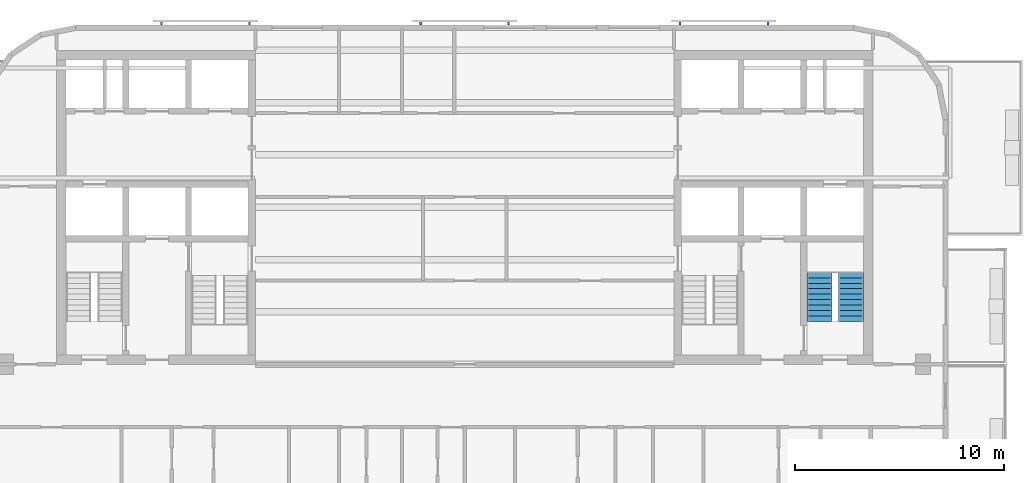
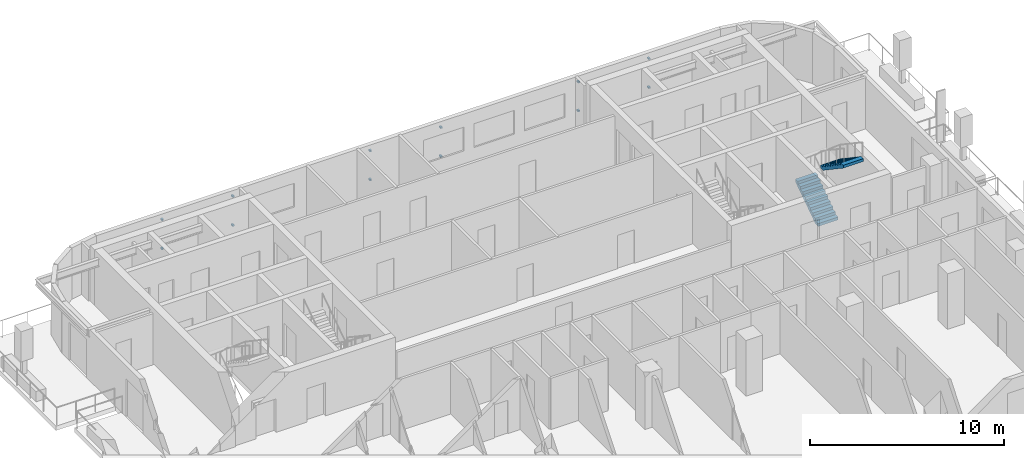
# One storey, part 8 of 11: 12 discrete accessories, 2 stair flights, 1 element without a shape of its own.
"""IFC4 building model written with IfcOpenShell, lengths in metres."""

from ifc_helpers import new_model, si_unit, direction, frame, origin, origin_2d, place, context, subcontext, project, spatial, polyline, rectangle, outline, extrude, material, type_object, element, aggregate, save


model = new_model("IFC4")

# Units and contexts
model_context = context("Model", 3, precision=1e-05, world=origin(), true_north=direction((0.0, 1.0)))
body_context = subcontext(model_context, "Body", "Model", "MODEL_VIEW")
ifc_project = project(units=[si_unit("LENGTHUNIT", "METRE"), si_unit("AREAUNIT", "SQUARE_METRE"), si_unit("VOLUMEUNIT", "CUBIC_METRE"), si_unit("PLANEANGLEUNIT", "RADIAN"), si_unit("MASSUNIT", "GRAM", prefix="KILO")], contexts=[model_context])

# Site, building, storey
site_placement = place(None, origin())
site = spatial("IfcSite", under=ifc_project, at=site_placement, CompositionType="ELEMENT")
building_placement = place(site_placement, origin())
building = spatial("IfcBuilding", under=site, at=building_placement, Name="Torana Hotel and Residences", CompositionType="ELEMENT")
storey_placement = place(building_placement, frame((0.0, 0.0, 294.60009765625)))
storey = spatial("IfcBuildingStorey", under=building, at=storey_placement, Name="L78", CompositionType="ELEMENT", Elevation=294.60009765625)

# Stair, stair flights
ifc_material_1 = material(Name="Concrete C40/50 precast", Category="concrete")
stair_type = type_object("IfcStairType", Name="STAIR ST4 HALF TURN 1200", PredefinedType="HALF_TURN_STAIR", material=ifc_material_1)
stair_placement = place(storey_placement, origin())
stair = element("IfcStair", 1, at=stair_placement, inside=storey, type_object=stair_type, Name="Stair ST4 L78", PredefinedType="HALF_TURN_STAIR")
ifc_material_2 = material(Name="Concrete C40/50 precast", Category="concrete")
stair_flight_type = type_object("IfcStairFlightType", Name="STAIR FLIGHT 1200 PRECAST", PredefinedType="STRAIGHT", material=ifc_material_2)
stair_flight_1_placement = place(storey_placement, frame((16.949951171875, -12.949951171875, 0.0), z_axis=(0.0, 0.0, 1.0), x_axis=(0.0, 1.0, 0.0)))
stair_flight_1 = element("IfcStairFlight", 2, at=stair_flight_1_placement, type_object=stair_flight_type, Name="ST4 flight 1", NumberOfRisers=10, NumberOfTreads=9, PredefinedType="STRAIGHT", RiserHeight=0.175, TreadLength=0.26, context=body_context, shape_type="SweptSolid", body=[
    extrude(outline(polyline([(0.0, 0.0), (0.0, 0.175048828125), (0.260009765625, 0.175048828125), (0.260009765625, 0.35009765625), (0.52001953125, 0.35009765625), (0.52001953125, 0.52490234375), (0.780029296875, 0.52490234375), (0.780029296875, 0.699951171875), (1.0400390625, 0.699951171875), (1.0400390625, 0.875), (1.300048828125, 0.875), (1.300048828125, 1.050048828125), (1.56005859375, 1.050048828125), (1.56005859375, 1.22509765625), (1.820068359375, 1.22509765625), (1.820068359375, 1.39990234375), (2.080078125, 1.39990234375), (2.080078125, 1.574951171875), (2.340087890625, 1.574951171875), (2.340087890625, 1.75), (2.340087890625, 1.394287109375), (0.2685546875, 0.0), (0.0, 0.0)])), frame((0.0, 0.60009765625, 0.0), z_axis=(0.0, -1.0, 0.0), x_axis=(1.0, 0.0, 0.0)), (0.0, 0.0, 1.0), 1.199951171875),
])
stair_flight_2_placement = place(storey_placement, frame((18.449951171875, -10.610107421875, 1.75), z_axis=(0.0, 0.0, 1.0), x_axis=(0.0, -1.0, 0.0)))
stair_flight_2 = element("IfcStairFlight", 3, at=stair_flight_2_placement, type_object=stair_flight_type, Name="ST4 flight 2", NumberOfRisers=10, NumberOfTreads=9, PredefinedType="STRAIGHT", RiserHeight=0.175, TreadLength=0.26, context=body_context, shape_type="SweptSolid", body=[
    extrude(outline(polyline([(0.0, 0.0), (0.0, 0.175048828125), (0.260009765625, 0.175048828125), (0.260009765625, 0.35009765625), (0.52001953125, 0.35009765625), (0.52001953125, 0.52490234375), (0.780029296875, 0.52490234375), (0.780029296875, 0.699951171875), (1.0400390625, 0.699951171875), (1.0400390625, 0.875), (1.300048828125, 0.875), (1.300048828125, 1.050048828125), (1.56005859375, 1.050048828125), (1.56005859375, 1.22509765625), (1.820068359375, 1.22509765625), (1.820068359375, 1.39990234375), (2.080078125, 1.39990234375), (2.080078125, 1.574951171875), (2.340087890625, 1.574951171875), (2.340087890625, 1.75), (2.340087890625, 1.394287109375), (0.2685546875, 0.0), (0.0, 0.0)])), frame((0.0, 0.60009765625, 0.0), z_axis=(0.0, -1.0, 0.0), x_axis=(1.0, 0.0, 0.0)), (0.0, 0.0, 1.0), 1.199951171875),
])
aggregate(stair, [stair_flight_1, stair_flight_2])

# Discrete accessories
ifc_material_3 = material(Name="Steel S355", Category="steel")
discrete_accessory_type = type_object("IfcDiscreteAccessoryType", Name="SCREEN BRACKET 100", PredefinedType="BRACKET", material=ifc_material_3)
for number, where, z_axis, x_axis, name in (
    (4, (14.483642578125, 1.27490234375, 0.749755859375), (0.0, 0.0, 1.0), (-1.0, 0.0, 0.0), "Screen bracket L78"),
    (5, (14.483642578125, 1.27490234375, 2.56982421875), (0.0, 0.0, 1.0), (-1.0, 0.0, 0.0), "Screen bracket L78"),
    (6, (10.28369140625, 1.27490234375, 0.749755859375), (0.0, 0.0, 1.0), (-1.0, 0.0, 0.0), "Screen bracket L78"),
    (7, (10.28369140625, 1.27490234375, 2.56982421875), (0.0, 0.0, 1.0), (-1.0, 0.0, 0.0), "Screen bracket L78"),
    (8, (2.10009765625, 1.27490234375, 0.749755859375), (0.0, 0.0, 1.0), (-1.0, 0.0, 0.0), "Screen bracket L78"),
    (9, (2.10009765625, 1.27490234375, 2.56982421875), (0.0, 0.0, 1.0), (-1.0, 0.0, 0.0), "Screen bracket L78"),
    (10, (-2.10009765625, 1.27490234375, 0.749755859375), (0.0, 0.0, 1.0), (-1.0, 0.0, 0.0), "Screen bracket L78"),
    (11, (-2.10009765625, 1.27490234375, 2.56982421875), (0.0, 0.0, 1.0), (-1.0, 0.0, 0.0), "Screen bracket L78"),
    (12, (-10.28369140625, 1.27490234375, 0.749755859375), (0.0, 0.0, 1.0), (-1.0, 0.0, 0.0), "Screen bracket L78"),
    (13, (-10.28369140625, 1.27490234375, 2.56982421875), (0.0, 0.0, 1.0), (-1.0, 0.0, 0.0), "Screen bracket L78"),
    (14, (-14.483642578125, 1.27490234375, 0.749755859375), (0.0, 0.0, 1.0), (-1.0, 0.0, 0.0), "Screen bracket L78"),
    (15, (-14.483642578125, 1.27490234375, 2.56982421875), (0.0, 0.0, 1.0), (-1.0, 0.0, 0.0), "Screen bracket L78"),
):
    element("IfcDiscreteAccessory", number, at=place(storey_placement, frame(where, z_axis=z_axis, x_axis=x_axis)), inside=storey, type_object=discrete_accessory_type, Name=name, PredefinedType="BRACKET", context=body_context, shape_type="SweptSolid", body=[
        extrude(rectangle(XDim=0.10009765625, YDim=0.14990234375, at=origin_2d()), origin(), (0.0, 0.0, 1.0), 0.10009765625),
    ])

save(model, "model.ifc")
